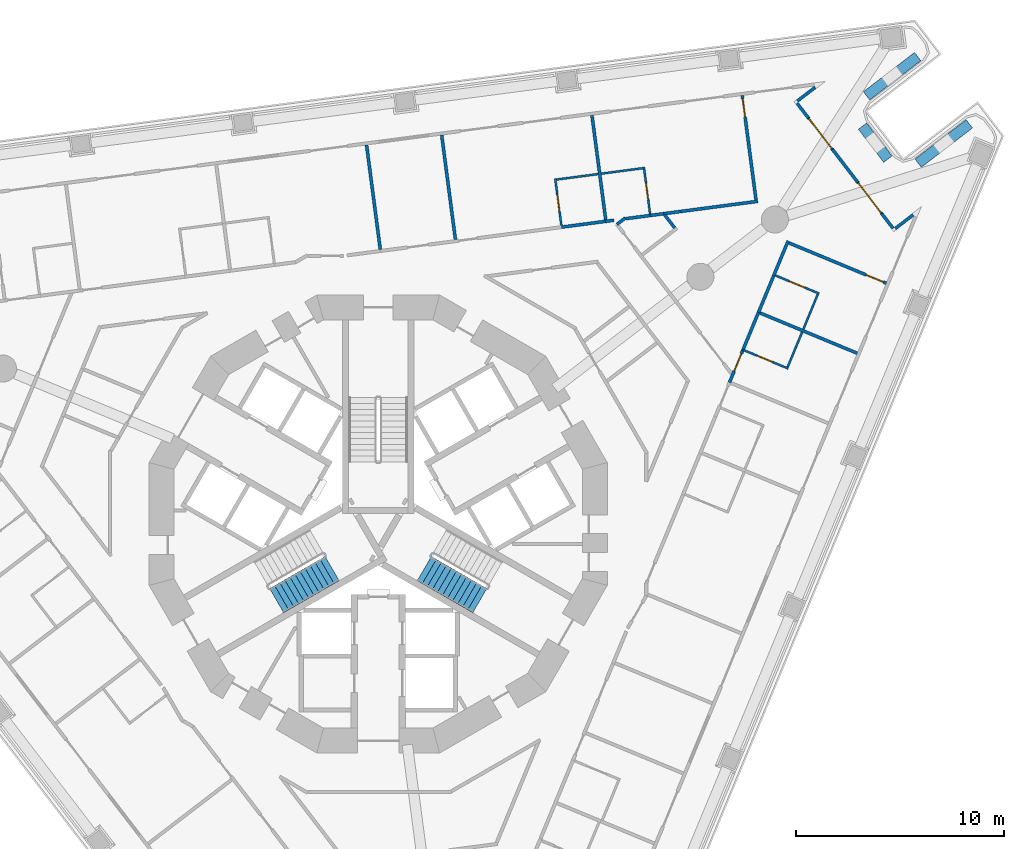
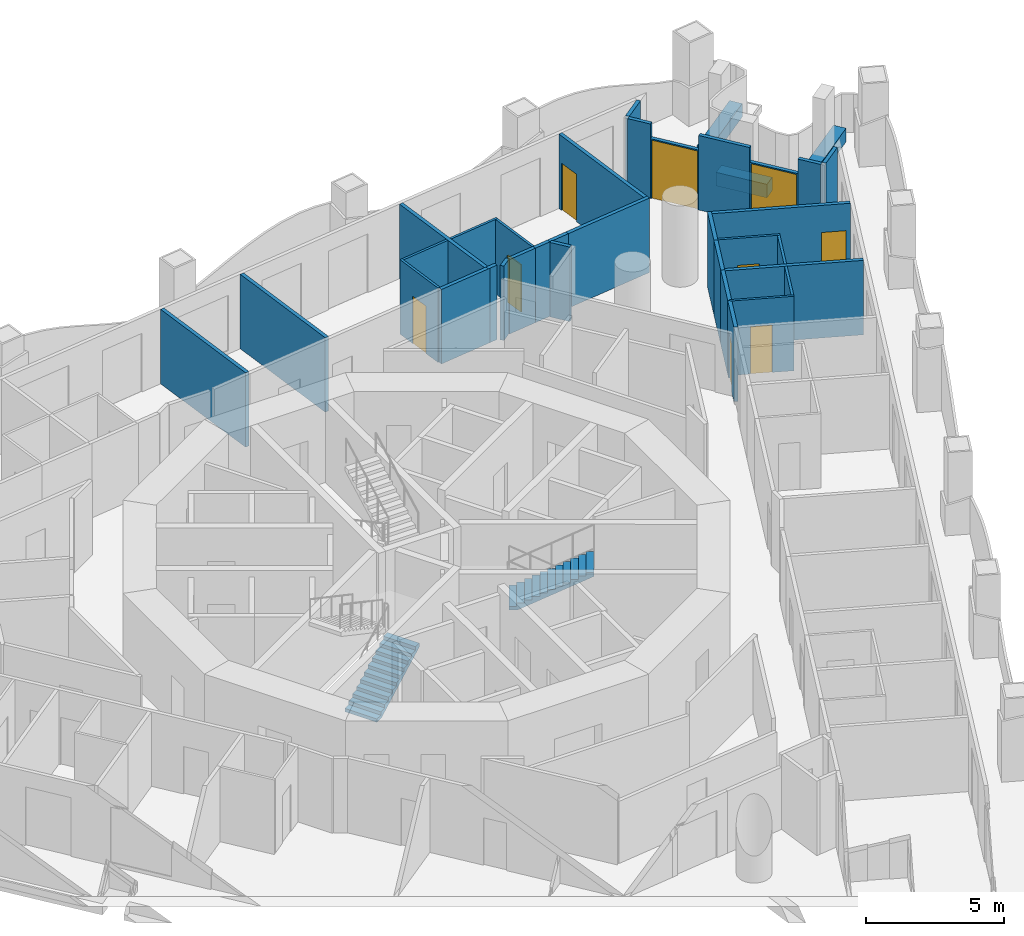
# One storey, part 10 of 19: 36 walls, 9 doors, 2 stair flights, 9 openings, 2 elements without a shape of their own.
"""IFC4 building model written with IfcOpenShell, lengths in metres."""

from ifc_helpers import new_model, si_unit, direction, frame, frame_2d, origin, place, context, subcontext, project, spatial, polyline, rectangle, outline, extrude, material, layer, layer_set, type_object, element, fill, aggregate, save


model = new_model("IFC4")

# Units and contexts
model_context = context("Model", 3, precision=1e-05, world=origin(), true_north=direction((0.0, 1.0)))
body_context = subcontext(model_context, "Body", "Model", "MODEL_VIEW")
ifc_project = project(units=[si_unit("LENGTHUNIT", "METRE"), si_unit("AREAUNIT", "SQUARE_METRE"), si_unit("VOLUMEUNIT", "CUBIC_METRE"), si_unit("PLANEANGLEUNIT", "RADIAN"), si_unit("MASSUNIT", "GRAM", prefix="KILO")], contexts=[model_context])

# Site, building, storey
site_placement = place(None, origin())
site = spatial("IfcSite", under=ifc_project, at=site_placement, CompositionType="ELEMENT")
building_placement = place(site_placement, origin())
building = spatial("IfcBuilding", under=site, at=building_placement, Name="Trine Commons Tower", CompositionType="ELEMENT")
storey_placement = place(building_placement, frame((0.0, 0.0, 68.39990234375)))
storey = spatial("IfcBuildingStorey", under=building, at=storey_placement, Name="L16", CompositionType="ELEMENT", Elevation=68.39990234375)

# Walls
ifc_material_1 = material(Name="Aluminium-framed insulated wall panel", Category="aluminium")
ifc_layer_1 = layer(ifc_material_1, 0.14990234375)
ifc_layer_set_1 = layer_set([ifc_layer_1], Name="Aluminium-framed insulated wall panel")
wall_type_1 = type_object("IfcWallType", Name="Glazed frame wall 150, EI 60", PredefinedType="SOLIDWALL", material=ifc_layer_set_1)
wall_1_placement = place(storey_placement, frame((101.129150390625, 83.584716796875, 0.0), z_axis=(0.0, 0.0, 1.0), x_axis=(-0.79337253673, -0.608736410905, 0.0)))
element("IfcWall", 1, at=wall_1_placement, inside=storey, type_object=wall_type_1, Name="Glazed frame wall R5", PredefinedType="SOLIDWALL", context=body_context, shape_type="SweptSolid", body=[
    extrude(outline(polyline([(0.1494140625, 0.074951171875), (0.1494140625, -0.074951171875), (1.235107421875, -0.074951171875), (1.235107421875, 0.074951171875), (0.1494140625, 0.074951171875)])), origin(), (0.0, 0.0, 1.0), 3.300048828125),
])
wall_2_placement = place(storey_placement, frame((100.068603515625, 82.81494140625, 0.0), z_axis=(0.0, 0.0, 1.0), x_axis=(0.608908114293, -0.793240763166, 0.0)))
element("IfcWall", 2, at=wall_2_placement, inside=storey, type_object=wall_type_1, Name="Glazed frame wall P2.1", PredefinedType="SOLIDWALL", context=body_context, shape_type="SweptSolid", body=[
    extrude(outline(polyline([(0.110107421875, -0.074951171875), (1.0, -0.074951171875), (1.0, 0.074951171875), (0.110107421875, 0.074951171875), (0.110107421875, -0.074951171875)])), origin(), (0.0, 0.0, 1.0), 3.300048828125),
])

# Wall, opening, door
wall_3_placement = place(storey_placement, frame((100.677490234375, 82.021728515625, 0.0), z_axis=(0.0, 0.0, 1.0), x_axis=(0.608722862036, -0.793382932281, 0.0)))
wall_3 = element("IfcWall", 3, at=wall_3_placement, inside=storey, type_object=wall_type_1, Name="Glazed frame wall P2.2", PredefinedType="SOLIDWALL", context=body_context, shape_type="SweptSolid", body=[
    extrude(outline(polyline([(0.0, -0.074951171875), (1.89990234375, -0.074951171875), (1.89990234375, 0.074951171875), (0.0, 0.074951171875), (0.0, -0.074951171875)])), origin(), (0.0, 0.0, 1.0), 2.650146484375),
])
opening_1_placement = place(wall_3_placement, frame((0.050048828125, 0.0, 0.0)))
opening_1 = element("IfcOpeningElement", 4, at=opening_1_placement, cuts=wall_3, Name="Opening BD-2P2-01", PredefinedType="OPENING", context=body_context, shape_type="SweptSolid", body=[
    extrude(rectangle(XDim=1.800048828125, YDim=2.60009765625, at=frame_2d((0.89990234375, 1.300048828125))), frame((0.0, 0.0849609375, 0.0), z_axis=(0.0, -1.0, 0.0), x_axis=(1.0, 0.0, 0.0)), (0.0, 0.0, 1.0), 0.169921875),
])
ifc_material_2 = material(Name="Anodised aluminium frame with double glazing", Category="aluminium")
door_type_1 = type_object("IfcDoorType", Name="Sliding loggia door 1800x2600", OperationType="SLIDING_TO_LEFT", PredefinedType="DOOR", material=ifc_material_2)
door_1_placement = place(opening_1_placement, origin())
door_1 = element("IfcDoor", 5, at=door_1_placement, inside=storey, type_object=door_type_1, Name="Loggia door P2 1", OperationType="SLIDING_TO_LEFT", OverallHeight=2.60009765625, OverallWidth=1.800048828125, PredefinedType="DOOR", context=body_context, shape_type="SweptSolid", body=[
    extrude(rectangle(XDim=1.800048828125, YDim=2.60009765625, at=frame_2d((0.89990234375, 1.300048828125))), frame((0.0, 0.02490234375, 0.0), z_axis=(0.0, -1.0, 0.0), x_axis=(1.0, 0.0, 0.0)), (0.0, 0.0, 1.0), 0.050048828125),
])
fill(opening_1, door_1)

# Wall
wall_4_placement = place(storey_placement, frame((101.833984375, 80.514404296875, 0.0), z_axis=(0.0, 0.0, 1.0), x_axis=(0.608713379391, -0.793390207748, 0.0)))
element("IfcWall", 6, at=wall_4_placement, inside=storey, type_object=wall_type_1, Name="Glazed frame wall P2.3", PredefinedType="SOLIDWALL", context=body_context, shape_type="SweptSolid", body=[
    extrude(outline(polyline([(0.0, -0.074951171875), (2.0, -0.074951171875), (2.0, 0.074951171875), (0.0, 0.074951171875), (0.0, -0.074951171875)])), origin(), (0.0, 0.0, 1.0), 3.300048828125),
])

# Wall, opening, door
wall_5_placement = place(storey_placement, frame((103.051513671875, 78.927490234375, 0.0), z_axis=(0.0, 0.0, 1.0), x_axis=(0.608803740143, -0.793320872023, 0.0)))
wall_5 = element("IfcWall", 7, at=wall_5_placement, inside=storey, type_object=wall_type_1, Name="Glazed frame wall P2.4", PredefinedType="SOLIDWALL", context=body_context, shape_type="SweptSolid", body=[
    extrude(outline(polyline([(0.0, -0.074951171875), (1.89990234375, -0.074951171875), (1.89990234375, 0.074951171875), (0.0, 0.074951171875), (0.0, -0.074951171875)])), origin(), (0.0, 0.0, 1.0), 2.650146484375),
])
opening_2_placement = place(wall_5_placement, frame((0.050048828125, 0.0, 0.0)))
opening_2 = element("IfcOpeningElement", 8, at=opening_2_placement, cuts=wall_5, Name="Opening BD-2P2-02", PredefinedType="OPENING", context=body_context, shape_type="SweptSolid", body=[
    extrude(rectangle(XDim=1.800048828125, YDim=2.60009765625, at=frame_2d((0.89990234375, 1.300048828125))), frame((0.0, 0.0849609375, 0.0), z_axis=(0.0, -1.0, 0.0), x_axis=(1.0, 0.0, 0.0)), (0.0, 0.0, 1.0), 0.169921875),
])
door_2_placement = place(opening_2_placement, origin())
door_2 = element("IfcDoor", 9, at=door_2_placement, inside=storey, type_object=door_type_1, Name="Loggia door P2 2", OperationType="SLIDING_TO_LEFT", OverallHeight=2.60009765625, OverallWidth=1.800048828125, PredefinedType="DOOR", context=body_context, shape_type="SweptSolid", body=[
    extrude(rectangle(XDim=1.800048828125, YDim=2.60009765625, at=frame_2d((0.89990234375, 1.300048828125))), frame((0.0, 0.02490234375, 0.0), z_axis=(0.0, -1.0, 0.0), x_axis=(1.0, 0.0, 0.0)), (0.0, 0.0, 1.0), 0.050048828125),
])
fill(opening_2, door_2)

# Walls
wall_6_placement = place(storey_placement, frame((104.208251953125, 77.420166015625, 0.0), z_axis=(0.0, 0.0, 1.0), x_axis=(0.608754453805, -0.793358692504, 0.0)))
element("IfcWall", 10, at=wall_6_placement, inside=storey, type_object=wall_type_1, Name="Glazed frame wall P2.5", PredefinedType="SOLIDWALL", context=body_context, shape_type="SweptSolid", body=[
    extrude(outline(polyline([(0.889892578125, 0.074951171875), (0.0, 0.074951171875), (0.0, -0.074951171875), (0.889892578125, -0.074951171875), (0.889892578125, 0.074951171875)])), origin(), (0.0, 0.0, 1.0), 3.300048828125),
])
wall_7_placement = place(storey_placement, frame((104.767822265625, 76.63330078125, 0.0), z_axis=(0.0, 0.0, 1.0), x_axis=(0.793352136239, 0.608762998157, 0.0)))
element("IfcWall", 11, at=wall_7_placement, inside=storey, type_object=wall_type_1, Name="Glazed frame wall R7", PredefinedType="SOLIDWALL", context=body_context, shape_type="SweptSolid", body=[
    extrude(outline(polyline([(0.110107421875, 0.074951171875), (0.110107421875, -0.074951171875), (1.19580078125, -0.074951171875), (1.19580078125, 0.074951171875), (0.110107421875, 0.074951171875)])), origin(), (0.0, 0.0, 1.0), 3.300048828125),
])
ifc_material_3 = material(Name="Planter trough, precast concrete C40/50", Category="concrete")
ifc_layer_2 = layer(ifc_material_3, 0.5)
ifc_layer_set_2 = layer_set([ifc_layer_2], Name="Planter trough, precast concrete C40/50")
wall_type_2 = type_object("IfcWallType", Name="Planter trough 500x600", PredefinedType="PARAPET", material=ifc_layer_set_2)
wall_8_placement = place(storey_placement, frame((105.933349609375, 84.970703125, 0.0), z_axis=(0.0, 0.0, 1.0), x_axis=(-0.793355321014, -0.608758847671, 0.0)))
element("IfcWall", 12, at=wall_8_placement, inside=storey, type_object=wall_type_2, Name="Planter 4", PredefinedType="PARAPET", context=body_context, shape_type="SweptSolid", body=[
    extrude(rectangle(XDim=3.10009765625, YDim=0.5, at=frame_2d((1.550048828125, 0.0))), origin(), (0.0, 0.0, 1.0), 0.60009765625),
])
wall_9_placement = place(storey_placement, frame((103.281982421875, 81.625244140625, 0.0), z_axis=(0.0, 0.0, 1.0), x_axis=(0.608772331974, -0.793344974033, 0.0)))
element("IfcWall", 13, at=wall_9_placement, inside=storey, type_object=wall_type_2, Name="Planter 5", PredefinedType="PARAPET", context=body_context, shape_type="SweptSolid", body=[
    extrude(rectangle(XDim=2.0, YDim=0.5, at=frame_2d((1.0, 0.0))), origin(), (0.0, 0.0, 1.0), 0.60009765625),
])
wall_10_placement = place(storey_placement, frame((105.95751953125, 79.8466796875, 0.0), z_axis=(0.0, 0.0, 1.0), x_axis=(0.793355321014, 0.608758847671, 0.0)))
element("IfcWall", 14, at=wall_10_placement, inside=storey, type_object=wall_type_2, Name="Planter 6", PredefinedType="PARAPET", context=body_context, shape_type="SweptSolid", body=[
    extrude(rectangle(XDim=3.10009765625, YDim=0.5, at=frame_2d((1.550048828125, 0.0))), origin(), (0.0, 0.0, 1.0), 0.60009765625),
])
ifc_material_4 = material(Name="Gypsum plasterboard on steel stud", Category="steel")
ifc_layer_3 = layer(ifc_material_4, 0.14990234375)
ifc_layer_set_3 = layer_set([ifc_layer_3], Name="Gypsum plasterboard on steel stud")
wall_type_3 = type_object("IfcWallType", Name="Unit and corridor wall 150 mm, EI 60", PredefinedType="PARTITIONING", material=ifc_layer_set_3)
wall_11_placement = place(storey_placement, frame((79.439208984375, 80.71923828125, 0.0), z_axis=(0.0, 0.0, 1.0), x_axis=(0.130505643681, -0.991447566424, 0.0)))
element("IfcWall", 15, at=wall_11_placement, inside=storey, type_object=wall_type_3, Name="Partition 079", PredefinedType="PARTITIONING", context=body_context, shape_type="SweptSolid", body=[
    extrude(rectangle(XDim=5.06396484375, YDim=0.14990234375, at=frame_2d((2.531982421875, 0.0))), origin(), (0.0, 0.0, 1.0), 3.300048828125),
])
wall_12_placement = place(storey_placement, frame((83.05126953125, 81.1953125, 0.0), z_axis=(0.0, 0.0, 1.0), x_axis=(0.130499406053, -0.991448387471, 0.0)))
element("IfcWall", 16, at=wall_12_placement, inside=storey, type_object=wall_type_3, Name="Partition 083", PredefinedType="PARTITIONING", context=body_context, shape_type="SweptSolid", body=[
    extrude(rectangle(XDim=5.064208984375, YDim=0.14990234375, at=frame_2d((2.5322265625, 0.0))), origin(), (0.0, 0.0, 1.0), 3.300048828125),
])
wall_13_placement = place(storey_placement, frame((88.81201171875, 76.77001953125, 0.0), z_axis=(0.0, 0.0, 1.0), x_axis=(0.991424492634, 0.13068081499, 0.0)))
element("IfcWall", 17, at=wall_13_placement, inside=storey, type_object=wall_type_3, Name="Partition 107", PredefinedType="PARTITIONING", context=body_context, shape_type="SweptSolid", body=[
    extrude(rectangle(XDim=2.232421875, YDim=0.14990234375, at=frame_2d((1.1162109375, 0.0))), origin(), (0.0, 0.0, 1.0), 3.300048828125),
])
wall_14_placement = place(storey_placement, frame((90.276123046875, 82.146240234375, 0.0), z_axis=(0.0, 0.0, 1.0), x_axis=(0.130553032561, -0.991441327406, 0.0)))
element("IfcWall", 18, at=wall_14_placement, inside=storey, type_object=wall_type_3, Name="Partition 114", PredefinedType="PARTITIONING", context=body_context, shape_type="SweptSolid", body=[
    extrude(rectangle(XDim=5.064208984375, YDim=0.14990234375, at=frame_2d((2.5322265625, 0.0))), origin(), (0.0, 0.0, 1.0), 3.300048828125),
])
wall_15_placement = place(storey_placement, frame((90.935302734375, 77.050048828125, 0.0), z_axis=(0.0, 0.0, 1.0), x_axis=(0.991508240123, 0.130043876322, 0.0)))
element("IfcWall", 19, at=wall_15_placement, inside=storey, type_object=wall_type_3, Name="Partition 120", PredefinedType="PARTITIONING", context=body_context, shape_type="SweptSolid", body=[
    extrude(rectangle(XDim=0.39990234375, YDim=0.14990234375, at=frame_2d((0.199951171875, 0.0))), origin(), (0.0, 0.0, 1.0), 3.300048828125),
])
wall_16_placement = place(storey_placement, frame((91.47607421875, 76.903076171875, 0.0), z_axis=(0.0, 0.0, 1.0), x_axis=(0.794371473226, 0.607432269908, 0.0)))
element("IfcWall", 20, at=wall_16_placement, inside=storey, type_object=wall_type_3, Name="Partition 124", PredefinedType="PARTITIONING", context=body_context, shape_type="SweptSolid", body=[
    extrude(rectangle(XDim=0.508056640625, YDim=0.14990234375, at=frame_2d((0.25390625, 0.0))), origin(), (0.0, 0.0, 1.0), 3.300048828125),
])
wall_17_placement = place(storey_placement, frame((91.894287109375, 77.17578125, 0.0), z_axis=(0.0, 0.0, 1.0), x_axis=(0.991471614011, 0.130322824598, 0.0)))
element("IfcWall", 21, at=wall_17_placement, inside=storey, type_object=wall_type_3, Name="Partition 125", PredefinedType="PARTITIONING", context=body_context, shape_type="SweptSolid", body=[
    extrude(rectangle(XDim=1.198974609375, YDim=0.14990234375, at=frame_2d((0.599609375, 0.0))), origin(), (0.0, 0.0, 1.0), 3.300048828125),
])
wall_18_placement = place(storey_placement, frame((93.074951171875, 77.3310546875, 0.0), z_axis=(0.0, 0.0, 1.0), x_axis=(0.991453033969, 0.130464100171, 0.0)))
element("IfcWall", 22, at=wall_18_placement, inside=storey, type_object=wall_type_3, Name="Partition 134", PredefinedType="PARTITIONING", context=body_context, shape_type="SweptSolid", body=[
    extrude(rectangle(XDim=0.65869140625, YDim=0.14990234375, at=frame_2d((0.329345703125, 0.0))), origin(), (0.0, 0.0, 1.0), 3.300048828125),
])
wall_19_placement = place(storey_placement, frame((93.773681640625, 77.357421875, 0.0), z_axis=(0.0, 0.0, 1.0), x_axis=(0.609485891215, -0.792796914985, 0.0)))
element("IfcWall", 23, at=wall_19_placement, inside=storey, type_object=wall_type_3, Name="Partition 135", PredefinedType="PARTITIONING", context=body_context, shape_type="SweptSolid", body=[
    extrude(rectangle(XDim=0.787109375, YDim=0.14990234375, at=frame_2d((0.3935546875, 0.0))), origin(), (0.0, 0.0, 1.0), 3.300048828125),
])
wall_20_placement = place(storey_placement, frame((93.72802734375, 77.4169921875, 0.0), z_axis=(0.0, 0.0, 1.0), x_axis=(0.991356991582, 0.131191902348, 0.0)))
element("IfcWall", 24, at=wall_20_placement, inside=storey, type_object=wall_type_3, Name="Partition 136", PredefinedType="PARTITIONING", context=body_context, shape_type="SweptSolid", body=[
    extrude(rectangle(XDim=0.83935546875, YDim=0.14990234375, at=frame_2d((0.419677734375, 0.0))), origin(), (0.0, 0.0, 1.0), 3.300048828125),
])
wall_21_placement = place(storey_placement, frame((94.56005859375, 77.527099609375, 0.0), z_axis=(0.0, 0.0, 1.0), x_axis=(0.991468816947, 0.130344102367, 0.0)))
element("IfcWall", 25, at=wall_21_placement, inside=storey, type_object=wall_type_3, Name="Partition 137", PredefinedType="PARTITIONING", context=body_context, shape_type="SweptSolid", body=[
    extrude(rectangle(XDim=3.718017578125, YDim=0.14990234375, at=frame_2d((1.85888671875, 0.0))), origin(), (0.0, 0.0, 1.0), 3.300048828125),
])

# Wall, opening, door
wall_22_placement = place(storey_placement, frame((96.886962890625, 69.303955078125, 0.0), z_axis=(0.0, 0.0, 1.0), x_axis=(0.382668597728, 0.92388567708, 0.0)))
wall_22 = element("IfcWall", 26, at=wall_22_placement, inside=storey, type_object=wall_type_3, Name="Partition 145", PredefinedType="PARTITIONING", context=body_context, shape_type="SweptSolid", body=[
    extrude(rectangle(XDim=1.701416015625, YDim=0.14990234375, at=frame_2d((0.8505859375, 0.0))), origin(), (0.0, 0.0, 1.0), 3.300048828125),
])
opening_3_placement = place(wall_22_placement, frame((0.602294921875, 0.0, 0.0)))
opening_3 = element("IfcOpeningElement", 27, at=opening_3_placement, cuts=wall_22, Name="Opening D-2B15", PredefinedType="OPENING", context=body_context, shape_type="SweptSolid", body=[
    extrude(rectangle(XDim=0.89990234375, YDim=2.10009765625, at=frame_2d((0.449951171875, 1.050048828125))), frame((0.0, 0.0849609375, 0.0), z_axis=(0.0, -1.0, 0.0), x_axis=(1.0, 0.0, 0.0)), (0.0, 0.0, 1.0), 0.169921875),
])
ifc_material_5 = material(Name="Timber fire door set", Category="wood")
door_type_2 = type_object("IfcDoorType", Name="Bedroom door 900 x 2100, FD30S", OperationType="NOTDEFINED", PredefinedType="DOOR", material=ifc_material_5)
door_3_placement = place(opening_3_placement, frame((0.89990234375, 0.0, 0.0), z_axis=(0.0, 0.0, 1.0), x_axis=(-1.0, 0.0, 0.0)))
door_3 = element("IfcDoor", 28, at=door_3_placement, inside=storey, type_object=door_type_2, Name="Door D-2B15", OperationType="SINGLE_SWING_LEFT", OverallHeight=2.10009765625, OverallWidth=0.89990234375, PredefinedType="DOOR", context=body_context, shape_type="SweptSolid", body=[
    extrude(rectangle(XDim=0.89990234375, YDim=2.10009765625, at=frame_2d((0.449951171875, 1.050048828125))), frame((0.0, 0.02490234375, 0.0), z_axis=(0.0, -1.0, 0.0), x_axis=(1.0, 0.0, 0.0)), (0.0, 0.0, 1.0), 0.050048828125),
])
fill(opening_3, door_3)

wall_23_placement = place(storey_placement, frame((97.501220703125, 83.097412109375, 0.0), z_axis=(0.0, 0.0, 1.0), x_axis=(0.130499406053, -0.991448387471, 0.0)))
wall_23 = element("IfcWall", 29, at=wall_23_placement, inside=storey, type_object=wall_type_3, Name="Partition 147", PredefinedType="PARTITIONING", context=body_context, shape_type="SweptSolid", body=[
    extrude(rectangle(XDim=5.064208984375, YDim=0.14990234375, at=frame_2d((2.5322265625, 0.0))), origin(), (0.0, 0.0, 1.0), 3.300048828125),
])
opening_4_placement = place(wall_23_placement, frame((0.14990234375, 0.0, 0.0)))
opening_4 = element("IfcOpeningElement", 30, at=opening_4_placement, cuts=wall_23, Name="Opening D-2B13", PredefinedType="OPENING", context=body_context, shape_type="SweptSolid", body=[
    extrude(rectangle(XDim=0.89990234375, YDim=2.10009765625, at=frame_2d((0.449951171875, 1.050048828125))), frame((0.0, 0.0849609375, 0.0), z_axis=(0.0, -1.0, 0.0), x_axis=(1.0, 0.0, 0.0)), (0.0, 0.0, 1.0), 0.169921875),
])
door_4_placement = place(opening_4_placement, frame((0.89990234375, 0.0, 0.0), z_axis=(0.0, 0.0, 1.0), x_axis=(-1.0, 0.0, 0.0)))
door_4 = element("IfcDoor", 31, at=door_4_placement, inside=storey, type_object=door_type_2, Name="Door D-2B13", OperationType="SINGLE_SWING_RIGHT", OverallHeight=2.10009765625, OverallWidth=0.89990234375, PredefinedType="DOOR", context=body_context, shape_type="SweptSolid", body=[
    extrude(rectangle(XDim=0.89990234375, YDim=2.10009765625, at=frame_2d((0.449951171875, 1.050048828125))), frame((0.0, 0.02490234375, 0.0), z_axis=(0.0, -1.0, 0.0), x_axis=(1.0, 0.0, 0.0)), (0.0, 0.0, 1.0), 0.050048828125),
])
fill(opening_4, door_4)

# Walls
wall_24_placement = place(storey_placement, frame((97.534912109375, 70.868896484375, 0.0), z_axis=(0.0, 0.0, 1.0), x_axis=(0.382822590874, 0.92382187889, 0.0)))
element("IfcWall", 32, at=wall_24_placement, inside=storey, type_object=wall_type_3, Name="Partition 148", PredefinedType="PARTITIONING", context=body_context, shape_type="SweptSolid", body=[
    extrude(rectangle(XDim=1.9541015625, YDim=0.14990234375, at=frame_2d((0.97705078125, 0.0))), origin(), (0.0, 0.0, 1.0), 3.300048828125),
])
wall_25_placement = place(storey_placement, frame((98.282958984375, 72.674072265625, 0.0), z_axis=(0.0, 0.0, 1.0), x_axis=(0.382440102022, 0.923980285702, 0.0)))
element("IfcWall", 33, at=wall_25_placement, inside=storey, type_object=wall_type_3, Name="Partition 152", PredefinedType="PARTITIONING", context=body_context, shape_type="SweptSolid", body=[
    extrude(rectangle(XDim=1.953369140625, YDim=0.14990234375, at=frame_2d((0.9765625, 0.0))), origin(), (0.0, 0.0, 1.0), 3.300048828125),
])
wall_26_placement = place(storey_placement, frame((98.352294921875, 72.645263671875, 0.0), z_axis=(0.0, 0.0, 1.0), x_axis=(0.923879340067, -0.382683896966, 0.0)))
element("IfcWall", 34, at=wall_26_placement, inside=storey, type_object=wall_type_3, Name="Partition 153", PredefinedType="PARTITIONING", context=body_context, shape_type="SweptSolid", body=[
    extrude(rectangle(XDim=5.064208984375, YDim=0.14990234375, at=frame_2d((2.5322265625, 0.0))), origin(), (0.0, 0.0, 1.0), 3.300048828125),
])
wall_27_placement = place(storey_placement, frame((99.0078125, 74.42578125, 0.0), z_axis=(0.0, 0.0, 1.0), x_axis=(0.382978779623, 0.923757140356, 0.0)))
element("IfcWall", 35, at=wall_27_placement, inside=storey, type_object=wall_type_3, Name="Partition 154", PredefinedType="PARTITIONING", context=body_context, shape_type="SweptSolid", body=[
    extrude(rectangle(XDim=1.822509765625, YDim=0.14990234375, at=frame_2d((0.9111328125, 0.0))), origin(), (0.0, 0.0, 1.0), 3.300048828125),
])

# Wall, opening, door
wall_28_placement = place(storey_placement, frame((99.746337890625, 76.01123046875, 0.0), z_axis=(0.0, 0.0, 1.0), x_axis=(0.923879340067, -0.382683896966, 0.0)))
wall_28 = element("IfcWall", 36, at=wall_28_placement, inside=storey, type_object=wall_type_3, Name="Partition 157", PredefinedType="PARTITIONING", context=body_context, shape_type="SweptSolid", body=[
    extrude(rectangle(XDim=5.064208984375, YDim=0.14990234375, at=frame_2d((2.5322265625, 0.0))), origin(), (0.0, 0.0, 1.0), 3.300048828125),
])
opening_5_placement = place(wall_28_placement, frame((4.01416015625, 0.0, 0.0)))
opening_5 = element("IfcOpeningElement", 37, at=opening_5_placement, cuts=wall_28, Name="Opening D-2B14", PredefinedType="OPENING", context=body_context, shape_type="SweptSolid", body=[
    extrude(rectangle(XDim=0.89990234375, YDim=2.10009765625, at=frame_2d((0.449951171875, 1.050048828125))), frame((0.0, 0.0849609375, 0.0), z_axis=(0.0, -1.0, 0.0), x_axis=(1.0, 0.0, 0.0)), (0.0, 0.0, 1.0), 0.169921875),
])
door_5_placement = place(opening_5_placement, frame((0.89990234375, 0.0, 0.0), z_axis=(0.0, 0.0, 1.0), x_axis=(-1.0, 0.0, 0.0)))
door_5 = element("IfcDoor", 38, at=door_5_placement, inside=storey, type_object=door_type_2, Name="Door D-2B14", OperationType="SINGLE_SWING_LEFT", OverallHeight=2.10009765625, OverallWidth=0.89990234375, PredefinedType="DOOR", context=body_context, shape_type="SweptSolid", body=[
    extrude(rectangle(XDim=0.89990234375, YDim=2.10009765625, at=frame_2d((0.449951171875, 1.050048828125))), frame((0.0, 0.02490234375, 0.0), z_axis=(0.0, -1.0, 0.0), x_axis=(1.0, 0.0, 0.0)), (0.0, 0.0, 1.0), 0.050048828125),
])
fill(opening_5, door_5)

ifc_layer_4 = layer(ifc_material_4, 0.10009765625)
ifc_layer_set_4 = layer_set([ifc_layer_4], Name="Gypsum plasterboard on steel stud")
wall_type_4 = type_object("IfcWallType", Name="Unit partition 100 mm, no rating", PredefinedType="PARTITIONING", material=ifc_layer_set_4)
wall_29_placement = place(storey_placement, frame((88.508544921875, 79.1005859375, 0.0), z_axis=(0.0, 0.0, 1.0), x_axis=(0.13083486939, -0.991404174367, 0.0)))
wall_29 = element("IfcWall", 39, at=wall_29_placement, inside=storey, type_object=wall_type_4, Name="Partition 104", PredefinedType="PARTITIONING", context=body_context, shape_type="SweptSolid", body=[
    extrude(rectangle(XDim=2.274658203125, YDim=0.10009765625, at=frame_2d((1.13720703125, 0.0))), origin(), (0.0, 0.0, 1.0), 3.300048828125),
])
opening_6_placement = place(wall_29_placement, frame((0.762451171875, 0.0, 0.0)))
opening_6 = element("IfcOpeningElement", 40, at=opening_6_placement, cuts=wall_29, Name="Opening D-2B42", PredefinedType="OPENING", context=body_context, shape_type="SweptSolid", body=[
    extrude(rectangle(XDim=0.800048828125, YDim=2.10009765625, at=frame_2d((0.39990234375, 1.050048828125))), frame((0.0, 0.06005859375, 0.0), z_axis=(0.0, -1.0, 0.0), x_axis=(1.0, 0.0, 0.0)), (0.0, 0.0, 1.0), 0.1201171875),
])
ifc_material_6 = material(Name="Painted timber", Category="wood")
door_type_3 = type_object("IfcDoorType", Name="Internal door 800 x 2100, NOT RATED", OperationType="NOTDEFINED", PredefinedType="DOOR", material=ifc_material_6)
door_6_placement = place(opening_6_placement, frame((0.800048828125, 0.0, 0.0), z_axis=(0.0, 0.0, 1.0), x_axis=(-1.0, 0.0, 0.0)))
door_6 = element("IfcDoor", 41, at=door_6_placement, inside=storey, type_object=door_type_3, Name="Door D-2B42", OperationType="SINGLE_SWING_LEFT", OverallHeight=2.10009765625, OverallWidth=0.800048828125, PredefinedType="DOOR", context=body_context, shape_type="SweptSolid", body=[
    extrude(rectangle(XDim=0.800048828125, YDim=2.10009765625, at=frame_2d((0.39990234375, 1.050048828125))), frame((0.0, 0.02490234375, 0.0), z_axis=(0.0, -1.0, 0.0), x_axis=(1.0, 0.0, 0.0)), (0.0, 0.0, 1.0), 0.050048828125),
])
fill(opening_6, door_6)

# Walls
wall_30_placement = place(storey_placement, frame((88.564697265625, 79.0576171875, 0.0), z_axis=(0.0, 0.0, 1.0), x_axis=(0.99148709198, 0.130205016943, 0.0)))
element("IfcWall", 42, at=wall_30_placement, inside=storey, type_object=wall_type_4, Name="Partition 105", PredefinedType="PARTITIONING", context=body_context, shape_type="SweptSolid", body=[
    extrude(rectangle(XDim=2.025146484375, YDim=0.10009765625, at=frame_2d((1.0126953125, 0.0))), origin(), (0.0, 0.0, 1.0), 3.300048828125),
])
wall_31_placement = place(storey_placement, frame((90.721435546875, 79.3408203125, 0.0), z_axis=(0.0, 0.0, 1.0), x_axis=(0.991434344141, 0.130606053677, 0.0)))
element("IfcWall", 43, at=wall_31_placement, inside=storey, type_object=wall_type_4, Name="Partition 116", PredefinedType="PARTITIONING", context=body_context, shape_type="SweptSolid", body=[
    extrude(rectangle(XDim=2.12548828125, YDim=0.10009765625, at=frame_2d((1.062744140625, 0.0))), origin(), (0.0, 0.0, 1.0), 3.300048828125),
])

# Wall, opening, door
wall_32_placement = place(storey_placement, frame((92.785400390625, 79.5625, 0.0), z_axis=(0.0, 0.0, 1.0), x_axis=(0.130457416757, -0.991453913409, 0.0)))
wall_32 = element("IfcWall", 44, at=wall_32_placement, inside=storey, type_object=wall_type_4, Name="Partition 128", PredefinedType="PARTITIONING", context=body_context, shape_type="SweptSolid", body=[
    extrude(rectangle(XDim=2.174560546875, YDim=0.10009765625, at=frame_2d((1.08740234375, 0.0))), origin(), (0.0, 0.0, 1.0), 3.300048828125),
])
opening_7_placement = place(wall_32_placement, frame((0.687255859375, 0.0, 0.0)))
opening_7 = element("IfcOpeningElement", 45, at=opening_7_placement, cuts=wall_32, Name="Opening D-2B43", PredefinedType="OPENING", context=body_context, shape_type="SweptSolid", body=[
    extrude(rectangle(XDim=0.800048828125, YDim=2.10009765625, at=frame_2d((0.39990234375, 1.050048828125))), frame((0.0, 0.06005859375, 0.0), z_axis=(0.0, -1.0, 0.0), x_axis=(1.0, 0.0, 0.0)), (0.0, 0.0, 1.0), 0.1201171875),
])
door_7_placement = place(opening_7_placement, origin())
door_7 = element("IfcDoor", 46, at=door_7_placement, inside=storey, type_object=door_type_3, Name="Door D-2B43", OperationType="SINGLE_SWING_LEFT", OverallHeight=2.10009765625, OverallWidth=0.800048828125, PredefinedType="DOOR", context=body_context, shape_type="SweptSolid", body=[
    extrude(rectangle(XDim=0.800048828125, YDim=2.10009765625, at=frame_2d((0.39990234375, 1.050048828125))), frame((0.0, 0.02490234375, 0.0), z_axis=(0.0, -1.0, 0.0), x_axis=(1.0, 0.0, 0.0)), (0.0, 0.0, 1.0), 0.050048828125),
])
fill(opening_7, door_7)

wall_33_placement = place(storey_placement, frame((97.537109375, 70.8720703125, 0.0), z_axis=(0.0, 0.0, 1.0), x_axis=(0.923901614008, -0.382630118564, 0.0)))
wall_33 = element("IfcWall", 47, at=wall_33_placement, inside=storey, type_object=wall_type_4, Name="Partition 149", PredefinedType="PARTITIONING", context=body_context, shape_type="SweptSolid", body=[
    extrude(rectangle(XDim=2.349853515625, YDim=0.10009765625, at=frame_2d((1.1748046875, 0.0))), origin(), (0.0, 0.0, 1.0), 3.300048828125),
])
opening_8_placement = place(wall_33_placement, frame((0.75, 0.0, 0.0)))
opening_8 = element("IfcOpeningElement", 48, at=opening_8_placement, cuts=wall_33, Name="Opening D-2B45", PredefinedType="OPENING", context=body_context, shape_type="SweptSolid", body=[
    extrude(rectangle(XDim=0.800048828125, YDim=2.10009765625, at=frame_2d((0.39990234375, 1.050048828125))), frame((0.0, 0.06005859375, 0.0), z_axis=(0.0, -1.0, 0.0), x_axis=(1.0, 0.0, 0.0)), (0.0, 0.0, 1.0), 0.1201171875),
])
door_8_placement = place(opening_8_placement, frame((0.800048828125, 0.0, 0.0), z_axis=(0.0, 0.0, 1.0), x_axis=(-1.0, 0.0, 0.0)))
door_8 = element("IfcDoor", 49, at=door_8_placement, inside=storey, type_object=door_type_3, Name="Door D-2B45", OperationType="SINGLE_SWING_RIGHT", OverallHeight=2.10009765625, OverallWidth=0.800048828125, PredefinedType="DOOR", context=body_context, shape_type="SweptSolid", body=[
    extrude(rectangle(XDim=0.800048828125, YDim=2.10009765625, at=frame_2d((0.39990234375, 1.050048828125))), frame((0.0, 0.02490234375, 0.0), z_axis=(0.0, -1.0, 0.0), x_axis=(1.0, 0.0, 0.0)), (0.0, 0.0, 1.0), 0.050048828125),
])
fill(opening_8, door_8)

wall_34_placement = place(storey_placement, frame((99.098388671875, 74.4462890625, 0.0), z_axis=(0.0, 0.0, 1.0), x_axis=(0.923916126796, -0.382595073996, 0.0)))
wall_34 = element("IfcWall", 50, at=wall_34_placement, inside=storey, type_object=wall_type_4, Name="Partition 155", PredefinedType="PARTITIONING", context=body_context, shape_type="SweptSolid", body=[
    extrude(rectangle(XDim=2.27490234375, YDim=0.10009765625, at=frame_2d((1.137451171875, 0.0))), origin(), (0.0, 0.0, 1.0), 3.300048828125),
])
opening_9_placement = place(wall_34_placement, frame((0.71240234375, 0.0, 0.0)))
opening_9 = element("IfcOpeningElement", 51, at=opening_9_placement, cuts=wall_34, Name="Opening D-2B44", PredefinedType="OPENING", context=body_context, shape_type="SweptSolid", body=[
    extrude(rectangle(XDim=0.800048828125, YDim=2.10009765625, at=frame_2d((0.39990234375, 1.050048828125))), frame((0.0, 0.06005859375, 0.0), z_axis=(0.0, -1.0, 0.0), x_axis=(1.0, 0.0, 0.0)), (0.0, 0.0, 1.0), 0.1201171875),
])
door_9_placement = place(opening_9_placement, origin())
door_9 = element("IfcDoor", 52, at=door_9_placement, inside=storey, type_object=door_type_3, Name="Door D-2B44", OperationType="SINGLE_SWING_LEFT", OverallHeight=2.10009765625, OverallWidth=0.800048828125, PredefinedType="DOOR", context=body_context, shape_type="SweptSolid", body=[
    extrude(rectangle(XDim=0.800048828125, YDim=2.10009765625, at=frame_2d((0.39990234375, 1.050048828125))), frame((0.0, 0.02490234375, 0.0), z_axis=(0.0, -1.0, 0.0), x_axis=(1.0, 0.0, 0.0)), (0.0, 0.0, 1.0), 0.050048828125),
])
fill(opening_9, door_9)

# Walls
wall_35_placement = place(storey_placement, frame((99.68115234375, 70.0380859375, 0.0), z_axis=(0.0, 0.0, 1.0), x_axis=(0.382525049986, 0.923945120737, 0.0)))
element("IfcWall", 53, at=wall_35_placement, inside=storey, type_object=wall_type_4, Name="Partition 156", PredefinedType="PARTITIONING", context=body_context, shape_type="SweptSolid", body=[
    extrude(rectangle(XDim=1.825439453125, YDim=0.10009765625, at=frame_2d((0.91259765625, 0.0))), origin(), (0.0, 0.0, 1.0), 3.300048828125),
])
wall_36_placement = place(storey_placement, frame((100.436767578125, 71.86328125, 0.0), z_axis=(0.0, 0.0, 1.0), x_axis=(0.382714221705, 0.923866778548, 0.0)))
element("IfcWall", 54, at=wall_36_placement, inside=storey, type_object=wall_type_4, Name="Partition 158", PredefinedType="PARTITIONING", context=body_context, shape_type="SweptSolid", body=[
    extrude(rectangle(XDim=1.824462890625, YDim=0.10009765625, at=frame_2d((0.912109375, 0.0))), origin(), (0.0, 0.0, 1.0), 3.300048828125),
])

# Stair, stair flight
ifc_material_7 = material(Name="Concrete C50/60", Category="concrete")
stair_type = type_object("IfcStairType", Name="Exit stair, dog-leg, 24 risers of 150 mm", PredefinedType="HALF_TURN_STAIR", material=ifc_material_7)
stair_1_placement = place(storey_placement, origin())
stair_1 = element("IfcStair", 55, at=stair_1_placement, inside=storey, type_object=stair_type, Name="L16 Exit stair ST2A", PredefinedType="HALF_TURN_STAIR")
stair_flight_type = type_object("IfcStairFlightType", Name="Stair flight, 1350 wide, 12 risers of 150 mm", PredefinedType="STRAIGHT", material=ifc_material_7)
stair_flight_1_placement = place(storey_placement, frame((75.11767578125, 58.815185546875, 0.0), z_axis=(0.0, 0.0, 1.0), x_axis=(0.866025403784, 0.5, 0.0)))
stair_flight_1 = element("IfcStairFlight", 56, at=stair_flight_1_placement, type_object=stair_flight_type, Name="ST2A flight 1", NumberOfRisers=12, NumberOfTreads=11, PredefinedType="STRAIGHT", RiserHeight=0.15, TreadLength=0.28, context=body_context, shape_type="SweptSolid", body=[
    extrude(outline(polyline([(0.0, 0.0), (0.0, 0.14990234375), (0.280029296875, 0.14990234375), (0.280029296875, 0.300048828125), (0.56005859375, 0.300048828125), (0.56005859375, 0.449951171875), (0.840087890625, 0.449951171875), (0.840087890625, 0.60009765625), (1.1201171875, 0.60009765625), (1.1201171875, 0.75), (1.39990234375, 0.75), (1.39990234375, 0.89990234375), (1.679931640625, 0.89990234375), (1.679931640625, 1.050048828125), (1.9599609375, 1.050048828125), (1.9599609375, 1.199951171875), (2.239990234375, 1.199951171875), (2.239990234375, 1.35009765625), (2.52001953125, 1.35009765625), (2.52001953125, 1.5), (2.800048828125, 1.5), (2.800048828125, 1.64990234375), (3.080078125, 1.64990234375), (3.080078125, 1.800048828125), (3.080078125, 1.47998046875), (0.3173828125, 0.0), (0.0, 0.0)])), frame((0.0, 0.675048828125, 0.0), z_axis=(0.0, -1.0, 0.0), x_axis=(1.0, 0.0, 0.0)), (0.0, 0.0, 1.0), 1.35009765625),
])
aggregate(stair_1, [stair_flight_1])

stair_2_placement = place(storey_placement, origin())
stair_2 = element("IfcStair", 57, at=stair_2_placement, inside=storey, type_object=stair_type, Name="L16 Exit stair ST3A", PredefinedType="HALF_TURN_STAIR")
stair_flight_2_placement = place(storey_placement, frame((82.21484375, 60.355224609375, 1.800048828125), z_axis=(0.0, 0.0, 1.0), x_axis=(0.866025403784, -0.5, 0.0)))
stair_flight_2 = element("IfcStairFlight", 58, at=stair_flight_2_placement, type_object=stair_flight_type, Name="ST3A flight 2", NumberOfRisers=12, NumberOfTreads=11, PredefinedType="STRAIGHT", RiserHeight=0.15, TreadLength=0.28, context=body_context, shape_type="SweptSolid", body=[
    extrude(outline(polyline([(0.0, 0.0), (0.0, 0.14990234375), (0.280029296875, 0.14990234375), (0.280029296875, 0.300048828125), (0.56005859375, 0.300048828125), (0.56005859375, 0.449951171875), (0.840087890625, 0.449951171875), (0.840087890625, 0.60009765625), (1.1201171875, 0.60009765625), (1.1201171875, 0.75), (1.39990234375, 0.75), (1.39990234375, 0.89990234375), (1.679931640625, 0.89990234375), (1.679931640625, 1.050048828125), (1.9599609375, 1.050048828125), (1.9599609375, 1.199951171875), (2.239990234375, 1.199951171875), (2.239990234375, 1.35009765625), (2.52001953125, 1.35009765625), (2.52001953125, 1.5), (2.800048828125, 1.5), (2.800048828125, 1.64990234375), (3.080078125, 1.64990234375), (3.080078125, 1.800048828125), (3.080078125, 1.47998046875), (0.3173828125, 0.0), (0.0, 0.0)])), frame((0.0, 0.675048828125, 0.0), z_axis=(0.0, -1.0, 0.0), x_axis=(1.0, 0.0, 0.0)), (0.0, 0.0, 1.0), 1.35009765625),
])
aggregate(stair_2, [stair_flight_2])

save(model, "model.ifc")
